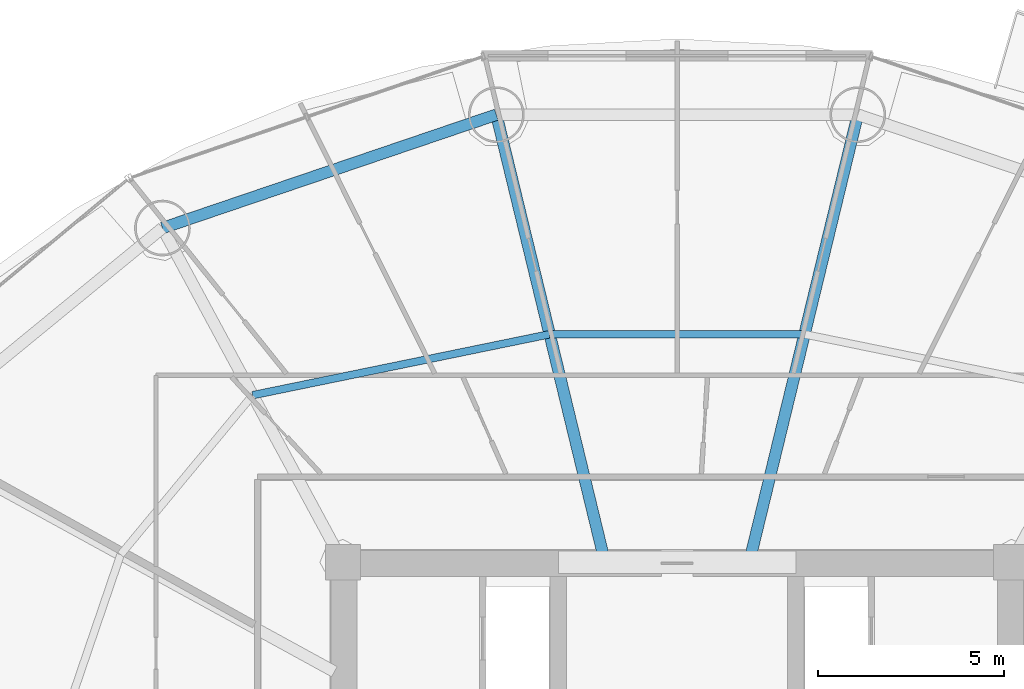
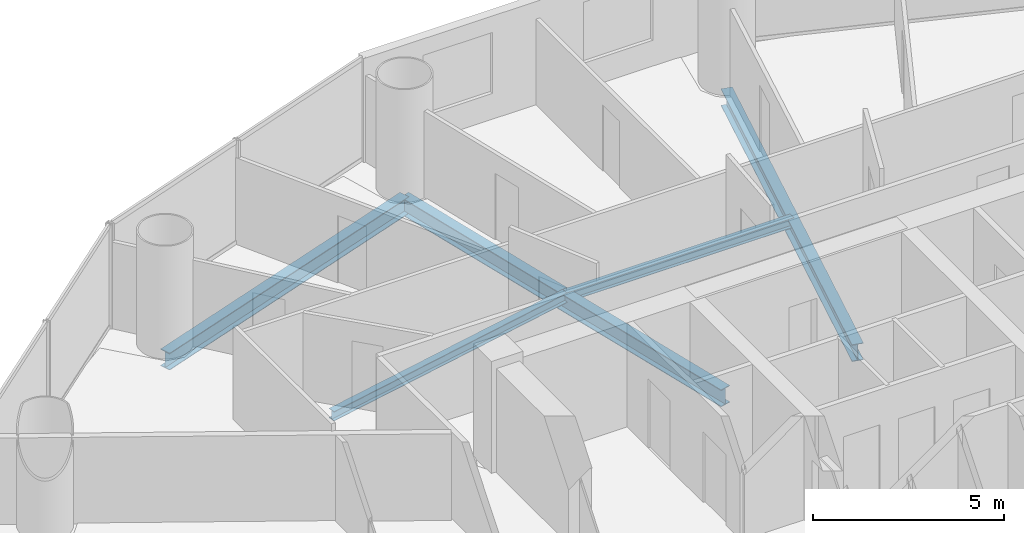
# One storey, part 17 of 29: 5 beams.
"""IFC4 building model written with IfcOpenShell, lengths in metres."""

from ifc_helpers import new_model, si_unit, direction, frame, origin, origin_2d, place, context, subcontext, project, spatial, i_section, extrude, material, material_profile, profile_set, type_object, element, save


model = new_model("IFC4")

# Units and contexts
model_context = context("Model", 3, precision=1e-05, world=origin(), true_north=direction((-0.2419218956, 0.970295726276)))
body_context = subcontext(model_context, "Body", "Model", "MODEL_VIEW")
ifc_project = project(units=[si_unit("LENGTHUNIT", "METRE"), si_unit("AREAUNIT", "SQUARE_METRE"), si_unit("VOLUMEUNIT", "CUBIC_METRE"), si_unit("PLANEANGLEUNIT", "RADIAN"), si_unit("MASSUNIT", "GRAM", prefix="KILO")], contexts=[model_context])

# Site, building, storey
site_placement = place(None, origin())
site = spatial("IfcSite", under=ifc_project, at=site_placement, CompositionType="ELEMENT")
building_placement = place(site_placement, origin())
building = spatial("IfcBuilding", under=site, at=building_placement, Name="Cobrevalo Terracotta Tower", CompositionType="ELEMENT")
storey_placement = place(building_placement, frame((0.0, 0.0, 97.800048828125)))
storey = spatial("IfcBuildingStorey", under=building, at=storey_placement, Name="L25", CompositionType="ELEMENT", Elevation=97.800048828125)

# Beams
ifc_material = material(Name="Steel S355", Category="steel")
ifc_material_profile_1 = material_profile(ifc_material, i_section(OverallWidth=0.31201171875, OverallDepth=0.54296875, WebThickness=0.0126953125, FlangeThickness=0.020263671875, at=origin_2d()), Name="W 530x150")
ifc_profile_set_1 = profile_set([ifc_material_profile_1], Name="Steel S355")
beam_type_1 = type_object("IfcBeamType", Name="Structural Beam W 530x150 (Steel S355)", PredefinedType="BEAM", material=ifc_profile_set_1)
for number, where, z_axis, x_axis, name in (
    (1, (42.867431640625, 46.857177734375, -0.546630859375), (-0.235827379387, -0.971794961467, 0.0), (0.971794961467, -0.235827379387, 0.0), "L25 radial floor girder 04"),
    (2, (33.132568359375, 46.857177734375, -0.546630859375), (0.235827379387, -0.971794961467, 0.0), (0.971794961467, 0.235827379387, 0.0), "L25 radial floor girder 05"),
):
    element("IfcBeam", number, at=place(storey_placement, frame(where, z_axis=z_axis, x_axis=x_axis)), inside=storey, type_object=beam_type_1, Name=name, PredefinedType="BEAM", context=body_context, shape_type="SweptSolid", body=[
        extrude(i_section(OverallWidth=0.31201171875, OverallDepth=0.54296875, WebThickness=0.0126953125, FlangeThickness=0.020263671875, at=origin_2d()), origin(), (0.0, 0.0, 1.0), 12.17041015625),
    ])
ifc_material_profile_2 = material_profile(ifc_material, i_section(OverallWidth=0.2041015625, OverallDepth=0.305908203125, WebThickness=0.008544921875, FlangeThickness=0.0146484375, at=origin_2d()), Name="W 310x67")
ifc_profile_set_2 = profile_set([ifc_material_profile_2], Name="Steel S355")
beam_type_2 = type_object("IfcBeamType", Name="Structural Joist W 310x67 (Steel S355)", PredefinedType="JOIST", material=ifc_profile_set_2)
beam_1_placement = place(storey_placement, frame((41.432373046875, 40.943603515625, -0.427978515625), z_axis=(-1.0, 0.0, 0.0), x_axis=(0.0, -1.0, 0.0)))
element("IfcBeam", 3, at=beam_1_placement, inside=storey, type_object=beam_type_2, Name="L25 circumferential secondary floor joist 04", PredefinedType="JOIST", context=body_context, shape_type="SweptSolid", body=[
    extrude(i_section(OverallWidth=0.2041015625, OverallDepth=0.305908203125, WebThickness=0.008544921875, FlangeThickness=0.0146484375, at=origin_2d()), origin(), (0.0, 0.0, 1.0), 6.86474609375),
])
beam_2_placement = place(storey_placement, frame((34.567626953125, 40.943603515625, -0.427978515625), z_axis=(-0.979574469315, -0.201081722357, 0.0), x_axis=(0.201081722357, -0.979574469315, 0.0)))
element("IfcBeam", 4, at=beam_2_placement, inside=storey, type_object=beam_type_2, Name="L25 circumferential secondary floor joist 05", PredefinedType="JOIST", context=body_context, shape_type="SweptSolid", body=[
    extrude(i_section(OverallWidth=0.2041015625, OverallDepth=0.305908203125, WebThickness=0.008544921875, FlangeThickness=0.0146484375, at=origin_2d()), origin(), (0.0, 0.0, 1.0), 8.1650390625),
])
ifc_material_profile_3 = material_profile(ifc_material, i_section(OverallWidth=0.31201171875, OverallDepth=0.54296875, WebThickness=0.0126953125, FlangeThickness=0.020263671875, at=origin_2d()), Name="W 530x150")
ifc_profile_set_3 = profile_set([ifc_material_profile_3], Name="Steel S355")
beam_type_3 = type_object("IfcBeamType", Name="Structural Spandrel W 530x150 (Steel S355)", PredefinedType="SPANDREL", material=ifc_profile_set_3)
beam_3_placement = place(storey_placement, frame((33.132568359375, 46.857177734375, -0.546630859375), z_axis=(-0.946910528816, -0.32149720126, 0.0), x_axis=(0.32149720126, -0.946910528816, 0.0)))
element("IfcBeam", 5, at=beam_3_placement, inside=storey, type_object=beam_type_3, Name="L25 perimeter ring spandrel 05", PredefinedType="SPANDREL", context=body_context, shape_type="SweptSolid", body=[
    extrude(i_section(OverallWidth=0.31201171875, OverallDepth=0.54296875, WebThickness=0.0126953125, FlangeThickness=0.020263671875, at=origin_2d()), origin(), (0.0, 0.0, 1.0), 9.498291015625),
])

save(model, "model.ifc")
